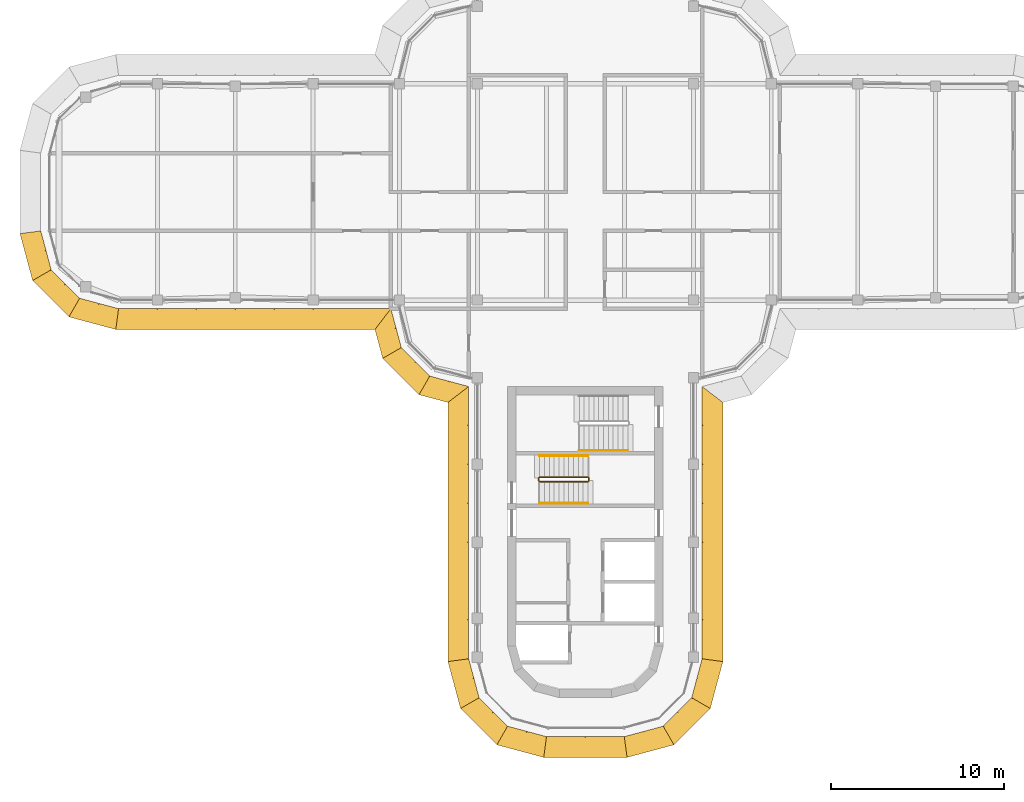
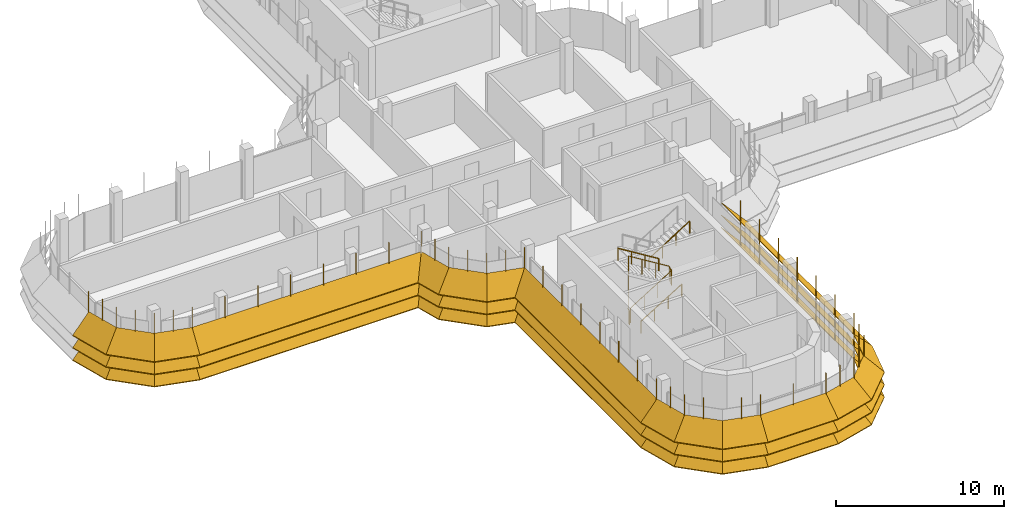
# One storey, part 16 of 19: 8 shading devices, 4 railings.
"""IFC4 building model written with IfcOpenShell, lengths in metres."""

from ifc_helpers import new_model, si_unit, direction, frame, origin, origin_2d, place, context, subcontext, project, spatial, polyline, circle, outline, extrude, faceted_brep, source, transform, mapped, material, type_object, element, save


model = new_model("IFC4")

# Units and contexts
model_context = context("Model", 3, precision=1e-05, world=origin(), true_north=direction((0.0, 1.0)))
body_context = subcontext(model_context, "Body", "Model", "MODEL_VIEW")
ifc_project = project(units=[si_unit("LENGTHUNIT", "METRE"), si_unit("AREAUNIT", "SQUARE_METRE"), si_unit("VOLUMEUNIT", "CUBIC_METRE"), si_unit("PLANEANGLEUNIT", "RADIAN"), si_unit("MASSUNIT", "GRAM", prefix="KILO")], contexts=[model_context])

# Site, building, storey
site_placement = place(None, origin())
site = spatial("IfcSite", under=ifc_project, at=site_placement, CompositionType="ELEMENT")
building_placement = place(site_placement, origin())
building = spatial("IfcBuilding", under=site, at=building_placement, Name="Zarbagh Exchange Tower", CompositionType="ELEMENT")
storey_placement = place(building_placement, frame((0.0, 0.0, 276.39990234375)))
storey = spatial("IfcBuildingStorey", under=building, at=storey_placement, Name="L68", CompositionType="ELEMENT", Elevation=276.39990234375)

# Railings
ifc_material_1 = material(Name="Stainless steel", Category="steel")
railing_type_1 = type_object("IfcRailingType", Name="Stair guard 1100 mm", PredefinedType="GUARDRAIL", material=ifc_material_1)
railing_1_placement = place(storey_placement, frame((-2.64990234375, -16.75, 0.1728515625)))
element("IfcRailing", 1, at=railing_1_placement, inside=storey, type_object=railing_type_1, Name="ST3 stair guard 1", PredefinedType="GUARDRAIL", context=body_context, shape_type="SweptSolid", body=[
    extrude(circle(Radius=0.02392578125, at=origin_2d()), frame((0.0, 0.0, 1.076171875), z_axis=(0.851069175582, 0.0, 0.525053576669), x_axis=(0.0, 1.0, 0.0)), (0.0, 0.0, 1.0), 3.289794921875),
    extrude(circle(Radius=0.02392578125, at=origin_2d()), frame((2.7998046875, 0.0, 2.80322265625), z_axis=(0.707106781187, 0.707106781187, 0.0), x_axis=(-0.707106781187, 0.707106781187, 0.0)), (0.0, 0.0, 1.0), 0.07080078125),
    extrude(circle(Radius=0.02392578125, at=origin_2d()), frame((2.849853515625, 0.050048828125, 2.80322265625), z_axis=(0.0, 1.0, 0.0), x_axis=(-1.0, 0.0, 0.0)), (0.0, 0.0, 1.0), 0.14990234375),
    extrude(circle(Radius=0.02392578125, at=origin_2d()), frame((2.849853515625, 0.199951171875, 2.80322265625), z_axis=(-0.268277960024, 0.268277960024, 0.925231793839), x_axis=(-0.707106781187, -0.707106781187, 0.0)), (0.0, 0.0, 1.0), 0.1865234375),
    extrude(circle(Radius=0.02392578125, at=origin_2d()), frame((2.7998046875, 0.25, 2.97607421875), z_axis=(-0.851069175582, 0.0, 0.525053576669), x_axis=(0.0, -1.0, 0.0)), (0.0, 0.0, 1.0), 3.289794921875),
    extrude(circle(Radius=0.02392578125, at=origin_2d()), frame((0.0, 0.25, 4.703125), z_axis=(-0.013168290981, -0.013168290981, -0.999826581076), x_axis=(0.707106781187, -0.707106781187, 0.0)), (0.0, 0.0, 1.0), 3.80078125),
    extrude(circle(Radius=0.02392578125, at=origin_2d()), frame((-0.050048828125, 0.199951171875, 0.9033203125), z_axis=(0.0, -1.0, 0.0), x_axis=(1.0, 0.0, 0.0)), (0.0, 0.0, 1.0), 0.14990234375),
    extrude(circle(Radius=0.02099609375, at=origin_2d()), origin(), (0.0, 0.0, 1.0), 1.052001953125),
    extrude(circle(Radius=0.02099609375, at=origin_2d()), frame((0.933349609375, 0.0, 0.57568359375)), (0.0, 0.0, 1.0), 1.052001953125),
    extrude(circle(Radius=0.02099609375, at=origin_2d()), frame((1.866455078125, 0.0, 1.151611328125)), (0.0, 0.0, 1.0), 1.052001953125),
    extrude(circle(Radius=0.02099609375, at=origin_2d()), frame((2.7998046875, 0.0, 1.727294921875)), (0.0, 0.0, 1.0), 1.052001953125),
    extrude(circle(Radius=0.02099609375, at=origin_2d()), frame((2.849853515625, 0.050048828125, 1.727294921875)), (0.0, 0.0, 1.0), 1.052001953125),
    extrude(circle(Radius=0.02099609375, at=origin_2d()), frame((2.849853515625, 0.199951171875, 1.727294921875)), (0.0, 0.0, 1.0), 1.052001953125),
    extrude(circle(Radius=0.02099609375, at=origin_2d()), frame((2.7998046875, 0.25, 1.89990234375)), (0.0, 0.0, 1.0), 1.052001953125),
    extrude(circle(Radius=0.02099609375, at=origin_2d()), frame((1.866455078125, 0.25, 2.4755859375)), (0.0, 0.0, 1.0), 1.052001953125),
    extrude(circle(Radius=0.02099609375, at=origin_2d()), frame((0.933349609375, 0.25, 3.051513671875)), (0.0, 0.0, 1.0), 1.052001953125),
    extrude(circle(Radius=0.02099609375, at=origin_2d()), frame((0.0, 0.25, 3.627197265625)), (0.0, 0.0, 1.0), 1.052001953125),
    extrude(circle(Radius=0.02099609375, at=origin_2d()), frame((-0.012451171875, 0.237548828125, 2.67724609375)), (0.0, 0.0, 1.0), 1.052001953125),
    extrude(circle(Radius=0.02099609375, at=origin_2d()), frame((-0.02490234375, 0.22509765625, 1.72705078125)), (0.0, 0.0, 1.0), 1.052001953125),
    extrude(circle(Radius=0.02099609375, at=origin_2d()), frame((-0.03759765625, 0.21240234375, 0.777099609375)), (0.0, 0.0, 1.0), 1.052001953125),
    extrude(circle(Radius=0.02099609375, at=origin_2d()), frame((-0.050048828125, 0.199951171875, -0.1728515625)), (0.0, 0.0, 1.0), 1.052001953125),
    extrude(circle(Radius=0.02099609375, at=origin_2d()), frame((-0.050048828125, 0.050048828125, -0.1728515625)), (0.0, 0.0, 1.0), 1.052001953125),
])
railing_type_2 = type_object("IfcRailingType", Name="Stair handrail 900 mm", PredefinedType="HANDRAIL", material=ifc_material_1)
railing_2_placement = place(storey_placement, frame((-2.64990234375, -18.0, 0.1728515625)))
element("IfcRailing", 2, at=railing_2_placement, inside=storey, type_object=railing_type_2, Name="ST3 stair handrail 1", PredefinedType="HANDRAIL", context=body_context, shape_type="SweptSolid", body=[
    extrude(circle(Radius=0.02392578125, at=origin_2d()), frame((0.0, 0.0, 0.8759765625), z_axis=(0.851069175582, 0.0, 0.525053576669), x_axis=(0.0, 1.0, 0.0)), (0.0, 0.0, 1.0), 3.289794921875),
    extrude(circle(Radius=0.02099609375, at=origin_2d()), origin(), (0.0, 0.0, 1.0), 0.851806640625),
    extrude(circle(Radius=0.02099609375, at=origin_2d()), frame((0.933349609375, 0.0, 0.57568359375)), (0.0, 0.0, 1.0), 0.851806640625),
    extrude(circle(Radius=0.02099609375, at=origin_2d()), frame((1.866455078125, 0.0, 1.151611328125)), (0.0, 0.0, 1.0), 0.851806640625),
    extrude(circle(Radius=0.02099609375, at=origin_2d()), frame((2.7998046875, 0.0, 1.727294921875)), (0.0, 0.0, 1.0), 0.851806640625),
])
railing_3_placement = place(storey_placement, frame((0.14990234375, -15.25, 2.07275390625)))
element("IfcRailing", 3, at=railing_3_placement, inside=storey, type_object=railing_type_2, Name="ST3 stair handrail 2", PredefinedType="HANDRAIL", context=body_context, shape_type="SweptSolid", body=[
    extrude(circle(Radius=0.02392578125, at=origin_2d()), frame((0.0, 0.0, 0.8759765625), z_axis=(-0.851069175582, 0.0, 0.525053576669), x_axis=(0.0, -1.0, 0.0)), (0.0, 0.0, 1.0), 3.289794921875),
    extrude(circle(Radius=0.02099609375, at=origin_2d()), origin(), (0.0, 0.0, 1.0), 0.851806640625),
    extrude(circle(Radius=0.02099609375, at=origin_2d()), frame((-0.933349609375, 0.0, 0.57568359375)), (0.0, 0.0, 1.0), 0.851806640625),
    extrude(circle(Radius=0.02099609375, at=origin_2d()), frame((-1.866455078125, 0.0, 1.151611328125)), (0.0, 0.0, 1.0), 0.851806640625),
    extrude(circle(Radius=0.02099609375, at=origin_2d()), frame((-2.7998046875, 0.0, 1.727294921875)), (0.0, 0.0, 1.0), 0.851806640625),
])
railing_4_placement = place(storey_placement, frame((-0.35009765625, -14.949951171875, 2.07275390625)))
element("IfcRailing", 4, at=railing_4_placement, inside=storey, type_object=railing_type_2, Name="ST4 stair handrail 2", PredefinedType="HANDRAIL", context=body_context, shape_type="SweptSolid", body=[
    extrude(circle(Radius=0.02392578125, at=origin_2d()), frame((0.0, 0.0, 0.8759765625), z_axis=(0.851089632645, 0.0, 0.525020415988), x_axis=(0.0, 1.0, 0.0)), (0.0, 0.0, 1.0), 3.2900390625),
    extrude(circle(Radius=0.02099609375, at=origin_2d()), origin(), (0.0, 0.0, 1.0), 0.851806640625),
    extrude(circle(Radius=0.02099609375, at=origin_2d()), frame((0.933349609375, 0.0, 0.57568359375)), (0.0, 0.0, 1.0), 0.851806640625),
    extrude(circle(Radius=0.02099609375, at=origin_2d()), frame((1.86669921875, 0.0, 1.151611328125)), (0.0, 0.0, 1.0), 0.851806640625),
    extrude(circle(Radius=0.02099609375, at=origin_2d()), frame((2.800048828125, 0.0, 1.727294921875)), (0.0, 0.0, 1.0), 0.851806640625),
])

# Shading devices
ifc_material_2 = material(Name="Anodised aluminium blades and brackets", Category="aluminium")
shading_device_type = type_object("IfcShadingDeviceType", Name="SUNSHADE louvre band, 45 degree blades", PredefinedType="JALOUSIE", material=ifc_material_2)
shared_shape_1 = source(origin(), body_context, "Body", "Brep", [
    faceted_brep([(0.0, 0.0, 0.0), (0.0, 0.0, -0.056640625), (-0.157958984375, -1.199951171875, -1.256591796875), (-0.157958984375, -1.199951171875, -1.199951171875), (2.65087890625, -1.199951171875, -1.199951171875), (2.65087890625, -1.199951171875, -1.256591796875), (2.329345703125, 0.0, -0.056640625), (2.329345703125, 0.0, 0.0)], [[[0, 1, 2, 3]], [[4, 5, 6, 7]], [[0, 7, 6, 1]], [[1, 6, 5, 2]], [[2, 5, 4, 3]], [[3, 4, 7, 0]]]),
])
shared_shape_2 = source(origin(), body_context, "Body", "Brep", [
    faceted_brep([(0.0, 0.0, 0.0), (0.0, 0.0, -0.056640625), (-0.321533203125, -1.199951171875, -1.256591796875), (-0.321533203125, -1.199951171875, -1.199951171875), (2.65087890625, -1.199951171875, -1.199951171875), (2.65087890625, -1.199951171875, -1.256591796875), (2.329345703125, 0.0, -0.056640625), (2.329345703125, 0.0, 0.0)], [[[0, 1, 2, 3]], [[4, 5, 6, 7]], [[0, 7, 6, 1]], [[1, 6, 5, 2]], [[2, 5, 4, 3]], [[3, 4, 7, 0]]]),
])
shared_shape_3 = source(origin(), body_context, "Body", "Brep", [
    faceted_brep([(0.0, 0.0, 0.0), (0.0, 0.0, -0.056640625), (-0.321533203125, -1.199951171875, -1.256591796875), (-0.321533203125, -1.199951171875, -1.199951171875), (2.4873046875, -1.199951171875, -1.199951171875), (2.4873046875, -1.199951171875, -1.256591796875), (2.329345703125, 0.0, -0.056640625), (2.329345703125, 0.0, 0.0)], [[[0, 1, 2, 3]], [[4, 5, 6, 7]], [[0, 7, 6, 1]], [[1, 6, 5, 2]], [[2, 5, 4, 3]], [[3, 4, 7, 0]]]),
])
shared_shape_4 = source(origin(), body_context, "Body", "SweptSolid", [
    extrude(outline(polyline([(0.0, -0.012451171875), (0.06005859375, -0.012451171875), (0.06005859375, 0.012451171875), (0.0, 0.012451171875), (0.0, -0.012451171875)])), origin(), (0.0, 0.0, 1.0), 3.366455078125),
])
placement = place(storey_placement, origin())
element("IfcShadingDevice", 5, at=placement, inside=storey, type_object=shading_device_type, Name="SS35 sunshade band", PredefinedType="JALOUSIE", context=body_context, shape_type="MappedRepresentation", body=[
    mapped(shared_shape_1, transform((2.25, -31.5, 2.300048828125), x_axis=(0.965924289636, 0.258824779902, 0.0), y_axis=(-0.258824779902, 0.965924289636, 0.0), z_axis=(0.0, 0.0, 1.0))),
    mapped(shared_shape_1, transform((2.25, -31.5, 1.400146484375), x_axis=(0.965924289636, 0.258824779902, 0.0), y_axis=(-0.258824779902, 0.965924289636, 0.0), z_axis=(0.0, 0.0, 1.0))),
    mapped(shared_shape_1, transform((2.25, -31.5, 0.5), x_axis=(0.965924289636, 0.258824779902, 0.0), y_axis=(-0.258824779902, 0.965924289636, 0.0), z_axis=(0.0, 0.0, 1.0))),
    mapped(shared_shape_2, transform((4.5, -30.897216796875, 2.300048828125), x_axis=(0.707106781187, 0.707106781187, 0.0), y_axis=(-0.707106781187, 0.707106781187, 0.0), z_axis=(0.0, 0.0, 1.0))),
    mapped(shared_shape_2, transform((4.5, -30.897216796875, 1.400146484375), x_axis=(0.707106781187, 0.707106781187, 0.0), y_axis=(-0.707106781187, 0.707106781187, 0.0), z_axis=(0.0, 0.0, 1.0))),
    mapped(shared_shape_2, transform((4.5, -30.897216796875, 0.5), x_axis=(0.707106781187, 0.707106781187, 0.0), y_axis=(-0.707106781187, 0.707106781187, 0.0), z_axis=(0.0, 0.0, 1.0))),
    mapped(shared_shape_3, transform((6.147216796875, -29.25, 2.300048828125), x_axis=(0.258824779902, 0.965924289636, 0.0), y_axis=(-0.965924289636, 0.258824779902, 0.0), z_axis=(0.0, 0.0, 1.0))),
    mapped(shared_shape_3, transform((6.147216796875, -29.25, 1.400146484375), x_axis=(0.258824779902, 0.965924289636, 0.0), y_axis=(-0.965924289636, 0.258824779902, 0.0), z_axis=(0.0, 0.0, 1.0))),
    mapped(shared_shape_3, transform((6.147216796875, -29.25, 0.5), x_axis=(0.258824779902, 0.965924289636, 0.0), y_axis=(-0.965924289636, 0.258824779902, 0.0), z_axis=(0.0, 0.0, 1.0))),
    mapped(shared_shape_4, transform((2.25, -31.5, 0.41357421875), x_axis=(0.130529263012, -0.991444457092, 0.0), y_axis=(0.991444457092, 0.130529263012, 0.0), z_axis=(0.0, 0.0, 1.0))),
    mapped(shared_shape_4, transform((3.375, -31.198486328125, 0.41357421875), x_axis=(0.258825058029, -0.96592421511, 0.0), y_axis=(0.96592421511, 0.258825058029, 0.0), z_axis=(0.0, 0.0, 1.0))),
    mapped(shared_shape_4, transform((4.5, -30.897216796875, 0.41357421875), x_axis=(0.50000275701, -0.866023812018, 0.0), y_axis=(0.866023812018, 0.50000275701, 0.0), z_axis=(0.0, 0.0, 1.0))),
    mapped(shared_shape_4, transform((5.323486328125, -30.073486328125, 0.41357421875), x_axis=(0.707106781187, -0.707106781187, 0.0), y_axis=(0.707106781187, 0.707106781187, 0.0), z_axis=(0.0, 0.0, 1.0))),
    mapped(shared_shape_4, transform((6.147216796875, -29.25, 0.41357421875), x_axis=(0.866023812018, -0.50000275701, 0.0), y_axis=(0.50000275701, 0.866023812018, 0.0), z_axis=(0.0, 0.0, 1.0))),
    mapped(shared_shape_4, transform((6.448486328125, -28.125, 0.41357421875), x_axis=(0.96592421511, -0.258825058029, 0.0), y_axis=(0.258825058029, 0.96592421511, 0.0), z_axis=(0.0, 0.0, 1.0))),
])
element("IfcShadingDevice", 6, at=placement, inside=storey, type_object=shading_device_type, Name="SS43 sunshade band", PredefinedType="JALOUSIE", context=body_context, shape_type="MappedRepresentation", body=[
    mapped(shared_shape_1, transform((-31.5, -2.25, 2.300048828125), x_axis=(0.258824779902, -0.965924289636, 0.0), y_axis=(0.965924289636, 0.258824779902, 0.0), z_axis=(0.0, 0.0, 1.0))),
    mapped(shared_shape_1, transform((-31.5, -2.25, 1.400146484375), x_axis=(0.258824779902, -0.965924289636, 0.0), y_axis=(0.965924289636, 0.258824779902, 0.0), z_axis=(0.0, 0.0, 1.0))),
    mapped(shared_shape_1, transform((-31.5, -2.25, 0.5), x_axis=(0.258824779902, -0.965924289636, 0.0), y_axis=(0.965924289636, 0.258824779902, 0.0), z_axis=(0.0, 0.0, 1.0))),
    mapped(shared_shape_2, transform((-30.897216796875, -4.5, 2.300048828125), x_axis=(0.707106781187, -0.707106781187, 0.0), y_axis=(0.707106781187, 0.707106781187, 0.0), z_axis=(0.0, 0.0, 1.0))),
    mapped(shared_shape_2, transform((-30.897216796875, -4.5, 1.400146484375), x_axis=(0.707106781187, -0.707106781187, 0.0), y_axis=(0.707106781187, 0.707106781187, 0.0), z_axis=(0.0, 0.0, 1.0))),
    mapped(shared_shape_2, transform((-30.897216796875, -4.5, 0.5), x_axis=(0.707106781187, -0.707106781187, 0.0), y_axis=(0.707106781187, 0.707106781187, 0.0), z_axis=(0.0, 0.0, 1.0))),
    mapped(shared_shape_3, transform((-29.25, -6.147216796875, 2.300048828125), x_axis=(0.965924289636, -0.258824779902, 0.0), y_axis=(0.258824779902, 0.965924289636, 0.0), z_axis=(0.0, 0.0, 1.0))),
    mapped(shared_shape_3, transform((-29.25, -6.147216796875, 1.400146484375), x_axis=(0.965924289636, -0.258824779902, 0.0), y_axis=(0.258824779902, 0.965924289636, 0.0), z_axis=(0.0, 0.0, 1.0))),
    mapped(shared_shape_3, transform((-29.25, -6.147216796875, 0.5), x_axis=(0.965924289636, -0.258824779902, 0.0), y_axis=(0.258824779902, 0.965924289636, 0.0), z_axis=(0.0, 0.0, 1.0))),
    mapped(shared_shape_4, transform((-31.5, -2.25, 0.41357421875), x_axis=(-0.991444457092, -0.130529263012, 0.0), y_axis=(0.130529263012, -0.991444457092, 0.0), z_axis=(0.0, 0.0, 1.0))),
    mapped(shared_shape_4, transform((-31.198486328125, -3.375, 0.41357421875), x_axis=(-0.96592421511, -0.258825058029, 0.0), y_axis=(0.258825058029, -0.96592421511, 0.0), z_axis=(0.0, 0.0, 1.0))),
    mapped(shared_shape_4, transform((-30.897216796875, -4.5, 0.41357421875), x_axis=(-0.866023812018, -0.50000275701, 0.0), y_axis=(0.50000275701, -0.866023812018, 0.0), z_axis=(0.0, 0.0, 1.0))),
    mapped(shared_shape_4, transform((-30.073486328125, -5.323486328125, 0.41357421875), x_axis=(-0.707106781187, -0.707106781187, 0.0), y_axis=(0.707106781187, -0.707106781187, 0.0), z_axis=(0.0, 0.0, 1.0))),
    mapped(shared_shape_4, transform((-29.25, -6.147216796875, 0.41357421875), x_axis=(-0.50000275701, -0.866023812018, 0.0), y_axis=(0.866023812018, -0.50000275701, 0.0), z_axis=(0.0, 0.0, 1.0))),
    mapped(shared_shape_4, transform((-28.125, -6.448486328125, 0.41357421875), x_axis=(-0.258825058029, -0.96592421511, 0.0), y_axis=(0.96592421511, -0.258825058029, 0.0), z_axis=(0.0, 0.0, 1.0))),
])
element("IfcShadingDevice", 7, at=placement, inside=storey, type_object=shading_device_type, Name="SS38 sunshade band", PredefinedType="JALOUSIE", context=body_context, shape_type="MappedRepresentation", body=[
    mapped(shared_shape_1, transform((-6.75, -27.0, 2.300048828125), x_axis=(0.258824779902, -0.965924289636, 0.0), y_axis=(0.965924289636, 0.258824779902, 0.0), z_axis=(0.0, 0.0, 1.0))),
    mapped(shared_shape_1, transform((-6.75, -27.0, 1.400146484375), x_axis=(0.258824779902, -0.965924289636, 0.0), y_axis=(0.965924289636, 0.258824779902, 0.0), z_axis=(0.0, 0.0, 1.0))),
    mapped(shared_shape_1, transform((-6.75, -27.0, 0.5), x_axis=(0.258824779902, -0.965924289636, 0.0), y_axis=(0.965924289636, 0.258824779902, 0.0), z_axis=(0.0, 0.0, 1.0))),
    mapped(shared_shape_2, transform((-6.147216796875, -29.25, 2.300048828125), x_axis=(0.707106781187, -0.707106781187, 0.0), y_axis=(0.707106781187, 0.707106781187, 0.0), z_axis=(0.0, 0.0, 1.0))),
    mapped(shared_shape_2, transform((-6.147216796875, -29.25, 1.400146484375), x_axis=(0.707106781187, -0.707106781187, 0.0), y_axis=(0.707106781187, 0.707106781187, 0.0), z_axis=(0.0, 0.0, 1.0))),
    mapped(shared_shape_2, transform((-6.147216796875, -29.25, 0.5), x_axis=(0.707106781187, -0.707106781187, 0.0), y_axis=(0.707106781187, 0.707106781187, 0.0), z_axis=(0.0, 0.0, 1.0))),
    mapped(shared_shape_3, transform((-4.5, -30.897216796875, 2.300048828125), x_axis=(0.965924289636, -0.258824779902, 0.0), y_axis=(0.258824779902, 0.965924289636, 0.0), z_axis=(0.0, 0.0, 1.0))),
    mapped(shared_shape_3, transform((-4.5, -30.897216796875, 1.400146484375), x_axis=(0.965924289636, -0.258824779902, 0.0), y_axis=(0.258824779902, 0.965924289636, 0.0), z_axis=(0.0, 0.0, 1.0))),
    mapped(shared_shape_3, transform((-4.5, -30.897216796875, 0.5), x_axis=(0.965924289636, -0.258824779902, 0.0), y_axis=(0.258824779902, 0.965924289636, 0.0), z_axis=(0.0, 0.0, 1.0))),
    mapped(shared_shape_4, transform((-6.75, -27.0, 0.41357421875), x_axis=(-0.991444457092, -0.130529263012, 0.0), y_axis=(0.130529263012, -0.991444457092, 0.0), z_axis=(0.0, 0.0, 1.0))),
    mapped(shared_shape_4, transform((-6.448486328125, -28.125, 0.41357421875), x_axis=(-0.96592421511, -0.258825058029, 0.0), y_axis=(0.258825058029, -0.96592421511, 0.0), z_axis=(0.0, 0.0, 1.0))),
    mapped(shared_shape_4, transform((-6.147216796875, -29.25, 0.41357421875), x_axis=(-0.866023812018, -0.50000275701, 0.0), y_axis=(0.50000275701, -0.866023812018, 0.0), z_axis=(0.0, 0.0, 1.0))),
    mapped(shared_shape_4, transform((-5.323486328125, -30.073486328125, 0.41357421875), x_axis=(-0.707106781187, -0.707106781187, 0.0), y_axis=(0.707106781187, -0.707106781187, 0.0), z_axis=(0.0, 0.0, 1.0))),
    mapped(shared_shape_4, transform((-4.5, -30.897216796875, 0.41357421875), x_axis=(-0.50000275701, -0.866023812018, 0.0), y_axis=(0.866023812018, -0.50000275701, 0.0), z_axis=(0.0, 0.0, 1.0))),
    mapped(shared_shape_4, transform((-3.375, -31.198486328125, 0.41357421875), x_axis=(-0.258825058029, -0.96592421511, 0.0), y_axis=(0.96592421511, -0.258825058029, 0.0), z_axis=(0.0, 0.0, 1.0))),
])
shared_shape_5 = source(origin(), body_context, "Body", "Brep", [
    faceted_brep([(0.0, 0.0, 0.0), (0.0, 0.0, -0.056640625), (0.9208984375, -1.199951171875, -1.256591796875), (0.9208984375, -1.199951171875, -1.199951171875), (2.65087890625, -1.199951171875, -1.199951171875), (2.65087890625, -1.199951171875, -1.256591796875), (2.329345703125, 0.0, -0.056640625), (2.329345703125, 0.0, 0.0)], [[[0, 1, 2, 3]], [[4, 5, 6, 7]], [[0, 7, 6, 1]], [[1, 6, 5, 2]], [[2, 5, 4, 3]], [[3, 4, 7, 0]]]),
])
shared_shape_6 = source(origin(), body_context, "Body", "Brep", [
    faceted_brep([(0.0, 0.0, 0.0), (0.0, 0.0, -0.056640625), (-0.321533203125, -1.199951171875, -1.256591796875), (-0.321533203125, -1.199951171875, -1.199951171875), (1.40869140625, -1.199951171875, -1.199951171875), (1.40869140625, -1.199951171875, -1.256591796875), (2.329345703125, 0.0, -0.056640625), (2.329345703125, 0.0, 0.0)], [[[0, 1, 2, 3]], [[4, 5, 6, 7]], [[0, 7, 6, 1]], [[1, 6, 5, 2]], [[2, 5, 4, 3]], [[3, 4, 7, 0]]]),
])
element("IfcShadingDevice", 8, at=placement, inside=storey, type_object=shading_device_type, Name="SS21 sunshade band", PredefinedType="JALOUSIE", context=body_context, shape_type="MappedRepresentation", body=[
    mapped(shared_shape_5, transform((-11.25, -6.75, 2.300048828125), x_axis=(0.258824779902, -0.965924289636, 0.0), y_axis=(0.965924289636, 0.258824779902, 0.0), z_axis=(0.0, 0.0, 1.0))),
    mapped(shared_shape_5, transform((-11.25, -6.75, 1.400146484375), x_axis=(0.258824779902, -0.965924289636, 0.0), y_axis=(0.965924289636, 0.258824779902, 0.0), z_axis=(0.0, 0.0, 1.0))),
    mapped(shared_shape_5, transform((-11.25, -6.75, 0.5), x_axis=(0.258824779902, -0.965924289636, 0.0), y_axis=(0.965924289636, 0.258824779902, 0.0), z_axis=(0.0, 0.0, 1.0))),
    mapped(shared_shape_2, transform((-10.647216796875, -9.0, 2.300048828125), x_axis=(0.707106781187, -0.707106781187, 0.0), y_axis=(0.707106781187, 0.707106781187, 0.0), z_axis=(0.0, 0.0, 1.0))),
    mapped(shared_shape_2, transform((-10.647216796875, -9.0, 1.400146484375), x_axis=(0.707106781187, -0.707106781187, 0.0), y_axis=(0.707106781187, 0.707106781187, 0.0), z_axis=(0.0, 0.0, 1.0))),
    mapped(shared_shape_2, transform((-10.647216796875, -9.0, 0.5), x_axis=(0.707106781187, -0.707106781187, 0.0), y_axis=(0.707106781187, 0.707106781187, 0.0), z_axis=(0.0, 0.0, 1.0))),
    mapped(shared_shape_6, transform((-9.0, -10.647216796875, 2.300048828125), x_axis=(0.965924289636, -0.258824779902, 0.0), y_axis=(0.258824779902, 0.965924289636, 0.0), z_axis=(0.0, 0.0, 1.0))),
    mapped(shared_shape_6, transform((-9.0, -10.647216796875, 1.400146484375), x_axis=(0.965924289636, -0.258824779902, 0.0), y_axis=(0.258824779902, 0.965924289636, 0.0), z_axis=(0.0, 0.0, 1.0))),
    mapped(shared_shape_6, transform((-9.0, -10.647216796875, 0.5), x_axis=(0.965924289636, -0.258824779902, 0.0), y_axis=(0.258824779902, 0.965924289636, 0.0), z_axis=(0.0, 0.0, 1.0))),
    mapped(shared_shape_4, transform((-11.25, -6.75, 0.41357421875), x_axis=(-0.608758892, -0.793355287, 0.0), y_axis=(0.793355287, -0.608758892, 0.0), z_axis=(0.0, 0.0, 1.0))),
    mapped(shared_shape_4, transform((-10.948486328125, -7.875, 0.41357421875), x_axis=(-0.96592421511, -0.258825058029, 0.0), y_axis=(0.258825058029, -0.96592421511, 0.0), z_axis=(0.0, 0.0, 1.0))),
    mapped(shared_shape_4, transform((-10.647216796875, -9.0, 0.41357421875), x_axis=(-0.866023812018, -0.50000275701, 0.0), y_axis=(0.50000275701, -0.866023812018, 0.0), z_axis=(0.0, 0.0, 1.0))),
    mapped(shared_shape_4, transform((-9.823486328125, -9.823486328125, 0.41357421875), x_axis=(-0.707106781187, -0.707106781187, 0.0), y_axis=(0.707106781187, -0.707106781187, 0.0), z_axis=(0.0, 0.0, 1.0))),
    mapped(shared_shape_4, transform((-9.0, -10.647216796875, 0.41357421875), x_axis=(-0.50000275701, -0.866023812018, 0.0), y_axis=(0.866023812018, -0.50000275701, 0.0), z_axis=(0.0, 0.0, 1.0))),
    mapped(shared_shape_4, transform((-7.875, -10.948486328125, 0.41357421875), x_axis=(-0.258825058029, -0.96592421511, 0.0), y_axis=(0.96592421511, -0.258825058029, 0.0), z_axis=(0.0, 0.0, 1.0))),
])
shared_shape_7 = source(origin(), body_context, "Body", "Brep", [
    faceted_brep([(0.0, 0.0, 0.0), (0.0, 0.0, -0.056640625), (-0.157958984375, -1.199951171875, -1.256591796875), (-0.157958984375, -1.199951171875, -1.199951171875), (14.8291015625, -1.199951171875, -1.199951171875), (14.8291015625, -1.199951171875, -1.256591796875), (15.75, 0.0, -0.056640625), (15.75, 0.0, 0.0)], [[[0, 1, 2, 3]], [[4, 5, 6, 7]], [[0, 7, 6, 1]], [[1, 6, 5, 2]], [[2, 5, 4, 3]], [[3, 4, 7, 0]]]),
])
element("IfcShadingDevice", 9, at=placement, inside=storey, type_object=shading_device_type, Name="SS36 sunshade band", PredefinedType="JALOUSIE", context=body_context, shape_type="MappedRepresentation", body=[
    mapped(shared_shape_7, transform((6.75, -27.0, 2.300048828125), x_axis=(0.0, 1.0, 0.0), y_axis=(-1.0, 0.0, 0.0), z_axis=(0.0, 0.0, 1.0))),
    mapped(shared_shape_7, transform((6.75, -27.0, 1.400146484375), x_axis=(0.0, 1.0, 0.0), y_axis=(-1.0, 0.0, 0.0), z_axis=(0.0, 0.0, 1.0))),
    mapped(shared_shape_7, transform((6.75, -27.0, 0.5), x_axis=(0.0, 1.0, 0.0), y_axis=(-1.0, 0.0, 0.0), z_axis=(0.0, 0.0, 1.0))),
    mapped(shared_shape_4, transform((6.75, -27.0, 0.41357421875), x_axis=(0.991444457092, -0.130529263012, 0.0), y_axis=(0.130529263012, 0.991444457092, 0.0), z_axis=(0.0, 0.0, 1.0))),
    mapped(shared_shape_4, transform((6.75, -24.75, 0.41357421875), x_axis=(1.0, 0.0, 0.0), y_axis=(0.0, 1.0, 0.0), z_axis=(0.0, 0.0, 1.0))),
    mapped(shared_shape_4, transform((6.75, -22.5, 0.41357421875), x_axis=(1.0, 0.0, 0.0), y_axis=(0.0, 1.0, 0.0), z_axis=(0.0, 0.0, 1.0))),
    mapped(shared_shape_4, transform((6.75, -20.25, 0.41357421875), x_axis=(1.0, 0.0, 0.0), y_axis=(0.0, 1.0, 0.0), z_axis=(0.0, 0.0, 1.0))),
    mapped(shared_shape_4, transform((6.75, -18.0, 0.41357421875), x_axis=(1.0, 0.0, 0.0), y_axis=(0.0, 1.0, 0.0), z_axis=(0.0, 0.0, 1.0))),
    mapped(shared_shape_4, transform((6.75, -15.75, 0.41357421875), x_axis=(1.0, 0.0, 0.0), y_axis=(0.0, 1.0, 0.0), z_axis=(0.0, 0.0, 1.0))),
    mapped(shared_shape_4, transform((6.75, -13.5, 0.41357421875), x_axis=(1.0, 0.0, 0.0), y_axis=(0.0, 1.0, 0.0), z_axis=(0.0, 0.0, 1.0))),
])
element("IfcShadingDevice", 10, at=placement, inside=storey, type_object=shading_device_type, Name="SS44 sunshade band", PredefinedType="JALOUSIE", context=body_context, shape_type="MappedRepresentation", body=[
    mapped(shared_shape_7, transform((-27.0, -6.75, 2.300048828125), x_axis=(1.0, 0.0, 0.0), y_axis=(0.0, 1.0, 0.0), z_axis=(0.0, 0.0, 1.0))),
    mapped(shared_shape_7, transform((-27.0, -6.75, 1.400146484375), x_axis=(1.0, 0.0, 0.0), y_axis=(0.0, 1.0, 0.0), z_axis=(0.0, 0.0, 1.0))),
    mapped(shared_shape_7, transform((-27.0, -6.75, 0.5), x_axis=(1.0, 0.0, 0.0), y_axis=(0.0, 1.0, 0.0), z_axis=(0.0, 0.0, 1.0))),
    mapped(shared_shape_4, transform((-27.0, -6.75, 0.41357421875), x_axis=(-0.130529263012, -0.991444457092, 0.0), y_axis=(0.991444457092, -0.130529263012, 0.0), z_axis=(0.0, 0.0, 1.0))),
    mapped(shared_shape_4, transform((-24.75, -6.75, 0.41357421875), x_axis=(0.0, -1.0, 0.0), y_axis=(1.0, 0.0, 0.0), z_axis=(0.0, 0.0, 1.0))),
    mapped(shared_shape_4, transform((-22.5, -6.75, 0.41357421875), x_axis=(0.0, -1.0, 0.0), y_axis=(1.0, 0.0, 0.0), z_axis=(0.0, 0.0, 1.0))),
    mapped(shared_shape_4, transform((-20.25, -6.75, 0.41357421875), x_axis=(0.0, -1.0, 0.0), y_axis=(1.0, 0.0, 0.0), z_axis=(0.0, 0.0, 1.0))),
    mapped(shared_shape_4, transform((-18.0, -6.75, 0.41357421875), x_axis=(0.0, -1.0, 0.0), y_axis=(1.0, 0.0, 0.0), z_axis=(0.0, 0.0, 1.0))),
    mapped(shared_shape_4, transform((-15.75, -6.75, 0.41357421875), x_axis=(0.0, -1.0, 0.0), y_axis=(1.0, 0.0, 0.0), z_axis=(0.0, 0.0, 1.0))),
    mapped(shared_shape_4, transform((-13.5, -6.75, 0.41357421875), x_axis=(0.0, -1.0, 0.0), y_axis=(1.0, 0.0, 0.0), z_axis=(0.0, 0.0, 1.0))),
])
shared_shape_8 = source(origin(), body_context, "Body", "Brep", [
    faceted_brep([(0.0, 0.0, 0.0), (0.0, 0.0, -0.056640625), (0.9208984375, -1.199951171875, -1.256591796875), (0.9208984375, -1.199951171875, -1.199951171875), (15.907958984375, -1.199951171875, -1.199951171875), (15.907958984375, -1.199951171875, -1.256591796875), (15.75, 0.0, -0.056640625), (15.75, 0.0, 0.0)], [[[0, 1, 2, 3]], [[4, 5, 6, 7]], [[0, 7, 6, 1]], [[1, 6, 5, 2]], [[2, 5, 4, 3]], [[3, 4, 7, 0]]]),
])
element("IfcShadingDevice", 11, at=placement, inside=storey, type_object=shading_device_type, Name="SS37 sunshade band", PredefinedType="JALOUSIE", context=body_context, shape_type="MappedRepresentation", body=[
    mapped(shared_shape_8, transform((-6.75, -11.25, 2.300048828125), x_axis=(0.0, -1.0, 0.0), y_axis=(1.0, 0.0, 0.0), z_axis=(0.0, 0.0, 1.0))),
    mapped(shared_shape_8, transform((-6.75, -11.25, 1.400146484375), x_axis=(0.0, -1.0, 0.0), y_axis=(1.0, 0.0, 0.0), z_axis=(0.0, 0.0, 1.0))),
    mapped(shared_shape_8, transform((-6.75, -11.25, 0.5), x_axis=(0.0, -1.0, 0.0), y_axis=(1.0, 0.0, 0.0), z_axis=(0.0, 0.0, 1.0))),
    mapped(shared_shape_4, transform((-6.75, -11.25, 0.41357421875), x_axis=(-0.793355287, -0.608758892, 0.0), y_axis=(0.608758892, -0.793355287, 0.0), z_axis=(0.0, 0.0, 1.0))),
    mapped(shared_shape_4, transform((-6.75, -13.5, 0.41357421875), x_axis=(-1.0, 0.0, 0.0), y_axis=(0.0, -1.0, 0.0), z_axis=(0.0, 0.0, 1.0))),
    mapped(shared_shape_4, transform((-6.75, -15.75, 0.41357421875), x_axis=(-1.0, 0.0, 0.0), y_axis=(0.0, -1.0, 0.0), z_axis=(0.0, 0.0, 1.0))),
    mapped(shared_shape_4, transform((-6.75, -18.0, 0.41357421875), x_axis=(-1.0, 0.0, 0.0), y_axis=(0.0, -1.0, 0.0), z_axis=(0.0, 0.0, 1.0))),
    mapped(shared_shape_4, transform((-6.75, -20.25, 0.41357421875), x_axis=(-1.0, 0.0, 0.0), y_axis=(0.0, -1.0, 0.0), z_axis=(0.0, 0.0, 1.0))),
    mapped(shared_shape_4, transform((-6.75, -22.5, 0.41357421875), x_axis=(-1.0, 0.0, 0.0), y_axis=(0.0, -1.0, 0.0), z_axis=(0.0, 0.0, 1.0))),
    mapped(shared_shape_4, transform((-6.75, -24.75, 0.41357421875), x_axis=(-1.0, 0.0, 0.0), y_axis=(0.0, -1.0, 0.0), z_axis=(0.0, 0.0, 1.0))),
])
shared_shape_9 = source(origin(), body_context, "Body", "Brep", [
    faceted_brep([(0.0, 0.0, 0.0), (0.0, 0.0, -0.056640625), (-0.157958984375, -1.199951171875, -1.256591796875), (-0.157958984375, -1.199951171875, -1.199951171875), (4.657958984375, -1.199951171875, -1.199951171875), (4.657958984375, -1.199951171875, -1.256591796875), (4.5, 0.0, -0.056640625), (4.5, 0.0, 0.0)], [[[0, 1, 2, 3]], [[4, 5, 6, 7]], [[0, 7, 6, 1]], [[1, 6, 5, 2]], [[2, 5, 4, 3]], [[3, 4, 7, 0]]]),
])
element("IfcShadingDevice", 12, at=placement, inside=storey, type_object=shading_device_type, Name="SS39 sunshade band", PredefinedType="JALOUSIE", context=body_context, shape_type="MappedRepresentation", body=[
    mapped(shared_shape_9, transform((-2.25, -31.5, 2.300048828125), x_axis=(1.0, 0.0, 0.0), y_axis=(0.0, 1.0, 0.0), z_axis=(0.0, 0.0, 1.0))),
    mapped(shared_shape_9, transform((-2.25, -31.5, 1.400146484375), x_axis=(1.0, 0.0, 0.0), y_axis=(0.0, 1.0, 0.0), z_axis=(0.0, 0.0, 1.0))),
    mapped(shared_shape_9, transform((-2.25, -31.5, 0.5), x_axis=(1.0, 0.0, 0.0), y_axis=(0.0, 1.0, 0.0), z_axis=(0.0, 0.0, 1.0))),
    mapped(shared_shape_4, transform((-2.25, -31.5, 0.41357421875), x_axis=(-0.130529263012, -0.991444457092, 0.0), y_axis=(0.991444457092, -0.130529263012, 0.0), z_axis=(0.0, 0.0, 1.0))),
    mapped(shared_shape_4, transform((0.0, -31.5, 0.41357421875), x_axis=(0.0, -1.0, 0.0), y_axis=(1.0, 0.0, 0.0), z_axis=(0.0, 0.0, 1.0))),
])

save(model, "model.ifc")
